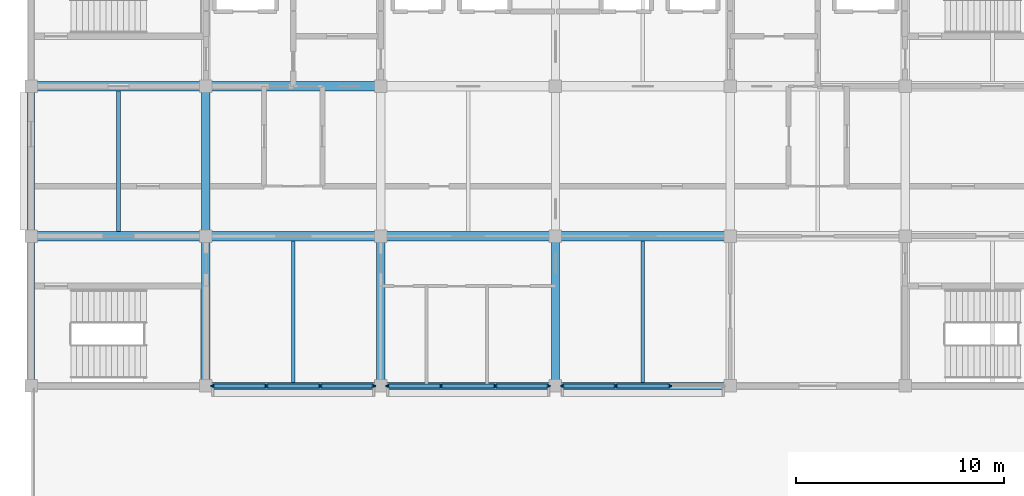
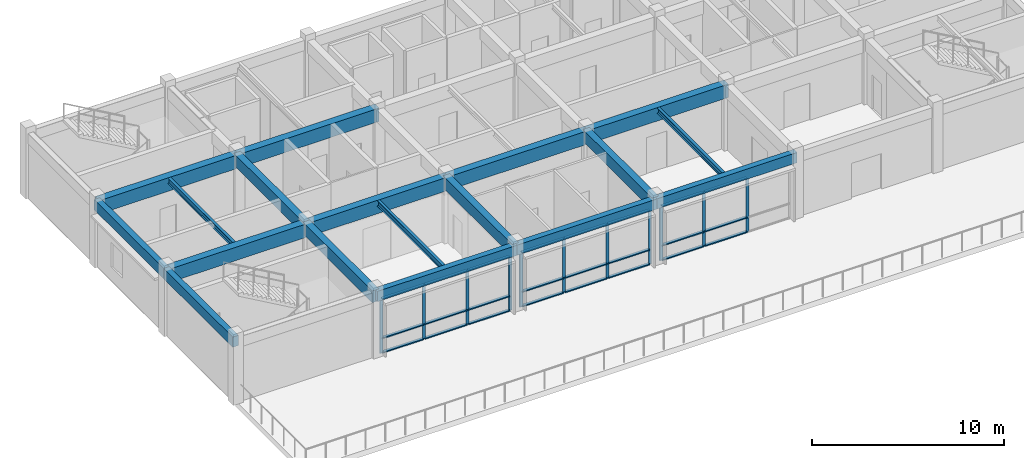
# One storey, part 2 of 11: 35 members, 18 beams, 3 elements without a shape of their own.
"""IFC4 building model written with IfcOpenShell, lengths in metres."""

from ifc_helpers import new_model, si_unit, direction, frame, origin, origin_2d, place, context, subcontext, project, spatial, rectangle, i_section, extrude, material, layer, layer_set, material_profile, profile_set, type_object, element, aggregate, save


model = new_model("IFC4")

# Units and contexts
model_context = context("Model", 3, precision=1e-05, world=origin(), true_north=direction((0.0, 1.0)))
body_context = subcontext(model_context, "Body", "Model", "MODEL_VIEW")
ifc_project = project(units=[si_unit("LENGTHUNIT", "METRE"), si_unit("AREAUNIT", "SQUARE_METRE"), si_unit("VOLUMEUNIT", "CUBIC_METRE"), si_unit("PLANEANGLEUNIT", "RADIAN"), si_unit("MASSUNIT", "GRAM", prefix="KILO")], contexts=[model_context])

# Site, building, storey
site_placement = place(None, origin())
site = spatial("IfcSite", under=ifc_project, at=site_placement, CompositionType="ELEMENT")
building_placement = place(site_placement, origin())
building = spatial("IfcBuilding", under=site, at=building_placement, Name="Chengyuan Square Courthouse", CompositionType="ELEMENT")
storey_placement = place(building_placement, frame((0.0, 0.0, 68.699951171875)))
storey = spatial("IfcBuildingStorey", under=building, at=storey_placement, Name="L16", CompositionType="ELEMENT", Elevation=68.699951171875)

# Beams
ifc_material_1 = material(Name="Concrete C40", Category="concrete")
ifc_material_profile_1 = material_profile(ifc_material_1, rectangle(XDim=0.449951171875, YDim=0.85009765625, at=origin_2d()), Name="RC-BM-450x850")
ifc_profile_set_1 = profile_set([ifc_material_profile_1], Name="Concrete C40")
beam_type_1 = type_object("IfcBeamType", Name="BM-01", PredefinedType="USERDEFINED", material=ifc_profile_set_1)
beam_1_placement = place(storey_placement, frame((58.800048828125, 93.60009765625, 3.695068359375), z_axis=(1.0, 0.0, 0.0), x_axis=(0.0, 1.0, 0.0)))
element("IfcBeam", 1, at=beam_1_placement, inside=storey, type_object=beam_type_1, Name="Girder BM-L16-4564", ObjectType="GIRDER", PredefinedType="USERDEFINED", context=body_context, shape_type="SweptSolid", body=[
    extrude(rectangle(XDim=0.449951171875, YDim=0.85009765625, at=origin_2d()), origin(), (0.0, 0.0, 1.0), 8.39990234375),
])
beam_2_placement = place(storey_placement, frame((67.199951171875, 93.60009765625, 3.695068359375), z_axis=(1.0, 0.0, 0.0), x_axis=(0.0, 1.0, 0.0)))
element("IfcBeam", 2, at=beam_2_placement, inside=storey, type_object=beam_type_1, Name="Girder BM-L16-4565", ObjectType="GIRDER", PredefinedType="USERDEFINED", context=body_context, shape_type="SweptSolid", body=[
    extrude(rectangle(XDim=0.449951171875, YDim=0.85009765625, at=origin_2d()), origin(), (0.0, 0.0, 1.0), 8.400146484375),
])
for number, where, z_axis, x_axis, name in (
    (3, (75.60009765625, 93.60009765625, 3.695068359375), (1.0, 0.0, 0.0), (0.0, 1.0, 0.0), "Girder BM-L16-4566"),
    (4, (84.0, 93.60009765625, 3.695068359375), (1.0, 0.0, 0.0), (0.0, 1.0, 0.0), "Girder BM-L16-4567"),
    (5, (58.800048828125, 100.800048828125, 3.695068359375), (1.0, 0.0, 0.0), (0.0, 1.0, 0.0), "Girder BM-L16-4570"),
):
    element("IfcBeam", number, at=place(storey_placement, frame(where, z_axis=z_axis, x_axis=x_axis)), inside=storey, type_object=beam_type_1, Name=name, ObjectType="GIRDER", PredefinedType="USERDEFINED", context=body_context, shape_type="SweptSolid", body=[
        extrude(rectangle(XDim=0.449951171875, YDim=0.85009765625, at=origin_2d()), origin(), (0.0, 0.0, 1.0), 8.39990234375),
    ])
beam_3_placement = place(storey_placement, frame((67.199951171875, 100.800048828125, 3.695068359375), z_axis=(1.0, 0.0, 0.0), x_axis=(0.0, 1.0, 0.0)))
element("IfcBeam", 6, at=beam_3_placement, inside=storey, type_object=beam_type_1, Name="Girder BM-L16-4571", ObjectType="GIRDER", PredefinedType="USERDEFINED", context=body_context, shape_type="SweptSolid", body=[
    extrude(rectangle(XDim=0.449951171875, YDim=0.85009765625, at=origin_2d()), origin(), (0.0, 0.0, 1.0), 8.400146484375),
])
ifc_material_profile_2 = material_profile(ifc_material_1, rectangle(XDim=0.39990234375, YDim=0.75, at=origin_2d()), Name="RC-BM-400x750")
ifc_profile_set_2 = profile_set([ifc_material_profile_2], Name="Concrete C40")
beam_type_2 = type_object("IfcBeamType", Name="BM-02", PredefinedType="USERDEFINED", material=ifc_profile_set_2)
beam_4_placement = place(storey_placement, frame((67.199951171875, 86.39990234375, 3.7451171875), z_axis=(0.0, 1.0, 0.0), x_axis=(-1.0, 0.0, 0.0)))
element("IfcBeam", 7, at=beam_4_placement, inside=storey, type_object=beam_type_2, Name="Girder BM-L16-4585", ObjectType="GIRDER", PredefinedType="USERDEFINED", context=body_context, shape_type="SweptSolid", body=[
    extrude(rectangle(XDim=0.39990234375, YDim=0.75, at=origin_2d()), origin(), (0.0, 0.0, 1.0), 7.2001953125),
])
beam_5_placement = place(storey_placement, frame((67.199951171875, 93.60009765625, 3.7451171875), z_axis=(0.0, 1.0, 0.0), x_axis=(-1.0, 0.0, 0.0)))
element("IfcBeam", 8, at=beam_5_placement, inside=storey, type_object=beam_type_2, Name="Girder BM-L16-4586", ObjectType="GIRDER", PredefinedType="USERDEFINED", context=body_context, shape_type="SweptSolid", body=[
    extrude(rectangle(XDim=0.39990234375, YDim=0.75, at=origin_2d()), origin(), (0.0, 0.0, 1.0), 7.199951171875),
])
for number, where, z_axis, x_axis, name in (
    (9, (75.60009765625, 86.39990234375, 3.7451171875), (0.0, 1.0, 0.0), (-1.0, 0.0, 0.0), "Girder BM-L16-4588"),
    (10, (84.0, 86.39990234375, 3.7451171875), (0.0, 1.0, 0.0), (-1.0, 0.0, 0.0), "Girder BM-L16-4591"),
):
    element("IfcBeam", number, at=place(storey_placement, frame(where, z_axis=z_axis, x_axis=x_axis)), inside=storey, type_object=beam_type_2, Name=name, ObjectType="GIRDER", PredefinedType="USERDEFINED", context=body_context, shape_type="SweptSolid", body=[
        extrude(rectangle(XDim=0.39990234375, YDim=0.75, at=origin_2d()), origin(), (0.0, 0.0, 1.0), 7.2001953125),
    ])
ifc_material_profile_3 = material_profile(ifc_material_1, rectangle(XDim=0.35009765625, YDim=0.64990234375, at=origin_2d()), Name="RC-BM-350x650")
ifc_profile_set_3 = profile_set([ifc_material_profile_3], Name="Concrete C40")
beam_type_3 = type_object("IfcBeamType", Name="BM-03", PredefinedType="SPANDREL", material=ifc_profile_set_3)
beam_6_placement = place(storey_placement, frame((67.199951171875, 86.39990234375, 3.795166015625), z_axis=(1.0, 0.0, 0.0), x_axis=(0.0, 1.0, 0.0)))
element("IfcBeam", 11, at=beam_6_placement, inside=storey, type_object=beam_type_3, Name="Girder BM-L16-4559", PredefinedType="SPANDREL", context=body_context, shape_type="SweptSolid", body=[
    extrude(rectangle(XDim=0.35009765625, YDim=0.64990234375, at=origin_2d()), origin(), (0.0, 0.0, 1.0), 8.400146484375),
])
for number, where, z_axis, x_axis, name in (
    (12, (75.60009765625, 86.39990234375, 3.795166015625), (1.0, 0.0, 0.0), (0.0, 1.0, 0.0), "Girder BM-L16-4560"),
    (13, (84.0, 86.39990234375, 3.795166015625), (1.0, 0.0, 0.0), (0.0, 1.0, 0.0), "Girder BM-L16-4561"),
):
    element("IfcBeam", number, at=place(storey_placement, frame(where, z_axis=z_axis, x_axis=x_axis)), inside=storey, type_object=beam_type_3, Name=name, PredefinedType="SPANDREL", context=body_context, shape_type="SweptSolid", body=[
        extrude(rectangle(XDim=0.35009765625, YDim=0.64990234375, at=origin_2d()), origin(), (0.0, 0.0, 1.0), 8.39990234375),
    ])
beam_7_placement = place(storey_placement, frame((58.800048828125, 86.39990234375, 3.795166015625), z_axis=(0.0, 1.0, 0.0), x_axis=(-1.0, 0.0, 0.0)))
element("IfcBeam", 14, at=beam_7_placement, inside=storey, type_object=beam_type_3, Name="Girder BM-L16-4582", PredefinedType="SPANDREL", context=body_context, shape_type="SweptSolid", body=[
    extrude(rectangle(XDim=0.35009765625, YDim=0.64990234375, at=origin_2d()), origin(), (0.0, 0.0, 1.0), 7.2001953125),
])
beam_8_placement = place(storey_placement, frame((58.800048828125, 93.60009765625, 3.795166015625), z_axis=(0.0, 1.0, 0.0), x_axis=(-1.0, 0.0, 0.0)))
element("IfcBeam", 15, at=beam_8_placement, inside=storey, type_object=beam_type_3, Name="Girder BM-L16-4583", PredefinedType="SPANDREL", context=body_context, shape_type="SweptSolid", body=[
    extrude(rectangle(XDim=0.35009765625, YDim=0.64990234375, at=origin_2d()), origin(), (0.0, 0.0, 1.0), 7.199951171875),
])
ifc_material_2 = material(Name="Steel Q355B", Category="steel")
ifc_material_profile_4 = material_profile(ifc_material_2, i_section(OverallWidth=0.175048828125, OverallDepth=0.35009765625, WebThickness=0.007080078125, FlangeThickness=0.010986328125, at=origin_2d()), Name="HN 350x175x7x11")
ifc_profile_set_4 = profile_set([ifc_material_profile_4], Name="Steel Q355B")
beam_type_4 = type_object("IfcBeamType", Name="BM-08", PredefinedType="BEAM", material=ifc_profile_set_4)
beam_9_placement = place(storey_placement, frame((63.0, 93.824951171875, 3.945068359375), z_axis=(0.0, 1.0, 0.0), x_axis=(-1.0, 0.0, 0.0)))
element("IfcBeam", 16, at=beam_9_placement, inside=storey, type_object=beam_type_4, Name="Secondary Floor Beam SBM-L16-4603", PredefinedType="BEAM", context=body_context, shape_type="SweptSolid", body=[
    extrude(i_section(OverallWidth=0.175048828125, OverallDepth=0.35009765625, WebThickness=0.007080078125, FlangeThickness=0.010986328125, at=origin_2d()), origin(), (0.0, 0.0, 1.0), 6.75),
])
for number, where, z_axis, x_axis, name in (
    (17, (71.39990234375, 86.574951171875, 3.945068359375), (0.0, 1.0, 0.0), (-1.0, 0.0, 0.0), "Secondary Floor Beam SBM-L16-4604"),
    (18, (88.199951171875, 86.574951171875, 3.945068359375), (0.0, 1.0, 0.0), (-1.0, 0.0, 0.0), "Secondary Floor Beam SBM-L16-4607"),
):
    element("IfcBeam", number, at=place(storey_placement, frame(where, z_axis=z_axis, x_axis=x_axis)), inside=storey, type_object=beam_type_4, Name=name, PredefinedType="BEAM", context=body_context, shape_type="SweptSolid", body=[
        extrude(i_section(OverallWidth=0.175048828125, OverallDepth=0.35009765625, WebThickness=0.007080078125, FlangeThickness=0.010986328125, at=origin_2d()), origin(), (0.0, 0.0, 1.0), 6.800048828125),
    ])

# Curtain wall, members
ifc_material_3 = material(Name="Unitised Aluminium and Triple Low-E Glass", Category="aluminium")
ifc_layer = layer(ifc_material_3, 0.179931640625)
ifc_layer_set = layer_set([ifc_layer], Name="Unitised Aluminium and Triple Low-E Glass")
curtain_wall_type = type_object("IfcCurtainWallType", Name="CW-22", PredefinedType="USERDEFINED", material=ifc_layer_set)
curtain_wall_1_placement = place(storey_placement, origin())
curtain_wall_1 = element("IfcCurtainWall", 19, at=curtain_wall_1_placement, inside=storey, type_object=curtain_wall_type, Name="Unitised Curtain Wall CW-L16-282", ObjectType="UNITISED CURTAIN WALL", PredefinedType="USERDEFINED")
ifc_material_4 = material(Name="Aluminium 6063-T6 Frame", Category="aluminium")
ifc_material_profile_5 = material_profile(ifc_material_4, rectangle(XDim=0.06494140625, YDim=0.179931640625, at=origin_2d()), Name="CW-MUL-65x180")
ifc_profile_set_5 = profile_set([ifc_material_profile_5], Name="Aluminium 6063-T6 Frame")
member_type_1 = type_object("IfcMemberType", Name="CWM-02", PredefinedType="MULLION", material=ifc_profile_set_5)
member_1_placement = place(storey_placement, frame((67.532470703125, 86.39990234375, 0.0), z_axis=(0.0, 0.0, 1.0), x_axis=(0.0, 1.0, 0.0)))
member_1 = element("IfcMember", 20, at=member_1_placement, type_object=member_type_1, Name="CW-22 mullion 1", PredefinedType="MULLION", context=body_context, shape_type="SweptSolid", body=[
    extrude(rectangle(XDim=0.06494140625, YDim=0.179931640625, at=origin_2d()), origin(), (0.0, 0.0, 1.0), 3.469970703125),
])
member_2_placement = place(storey_placement, frame((70.10009765625, 86.39990234375, 0.0), z_axis=(0.0, 0.0, 1.0), x_axis=(0.0, 1.0, 0.0)))
member_2 = element("IfcMember", 21, at=member_2_placement, type_object=member_type_1, Name="CW-22 mullion 2", PredefinedType="MULLION", context=body_context, shape_type="SweptSolid", body=[
    extrude(rectangle(XDim=0.06494140625, YDim=0.179931640625, at=origin_2d()), origin(), (0.0, 0.0, 1.0), 3.469970703125),
])
member_3_placement = place(storey_placement, frame((72.699951171875, 86.39990234375, 0.0), z_axis=(0.0, 0.0, 1.0), x_axis=(0.0, 1.0, 0.0)))
member_3 = element("IfcMember", 22, at=member_3_placement, type_object=member_type_1, Name="CW-22 mullion 3", PredefinedType="MULLION", context=body_context, shape_type="SweptSolid", body=[
    extrude(rectangle(XDim=0.06494140625, YDim=0.179931640625, at=origin_2d()), origin(), (0.0, 0.0, 1.0), 3.469970703125),
])
member_4_placement = place(storey_placement, frame((75.267578125, 86.39990234375, 0.0), z_axis=(0.0, 0.0, 1.0), x_axis=(0.0, 1.0, 0.0)))
member_4 = element("IfcMember", 23, at=member_4_placement, type_object=member_type_1, Name="CW-22 mullion 4", PredefinedType="MULLION", context=body_context, shape_type="SweptSolid", body=[
    extrude(rectangle(XDim=0.06494140625, YDim=0.179931640625, at=origin_2d()), origin(), (0.0, 0.0, 1.0), 3.469970703125),
])

curtain_wall_2_placement = place(storey_placement, origin())
curtain_wall_2 = element("IfcCurtainWall", 24, at=curtain_wall_2_placement, inside=storey, type_object=curtain_wall_type, Name="Unitised Curtain Wall CW-L16-283", ObjectType="UNITISED CURTAIN WALL", PredefinedType="USERDEFINED")
member_5_placement = place(storey_placement, frame((75.9326171875, 86.39990234375, 0.0), z_axis=(0.0, 0.0, 1.0), x_axis=(0.0, 1.0, 0.0)))
member_5 = element("IfcMember", 25, at=member_5_placement, type_object=member_type_1, Name="CW-22 mullion 1", PredefinedType="MULLION", context=body_context, shape_type="SweptSolid", body=[
    extrude(rectangle(XDim=0.06494140625, YDim=0.179931640625, at=origin_2d()), origin(), (0.0, 0.0, 1.0), 3.469970703125),
])
member_6_placement = place(storey_placement, frame((78.5, 86.39990234375, 0.0), z_axis=(0.0, 0.0, 1.0), x_axis=(0.0, 1.0, 0.0)))
member_6 = element("IfcMember", 26, at=member_6_placement, type_object=member_type_1, Name="CW-22 mullion 2", PredefinedType="MULLION", context=body_context, shape_type="SweptSolid", body=[
    extrude(rectangle(XDim=0.06494140625, YDim=0.179931640625, at=origin_2d()), origin(), (0.0, 0.0, 1.0), 3.469970703125),
])
member_7_placement = place(storey_placement, frame((81.10009765625, 86.39990234375, 0.0), z_axis=(0.0, 0.0, 1.0), x_axis=(0.0, 1.0, 0.0)))
member_7 = element("IfcMember", 27, at=member_7_placement, type_object=member_type_1, Name="CW-22 mullion 3", PredefinedType="MULLION", context=body_context, shape_type="SweptSolid", body=[
    extrude(rectangle(XDim=0.06494140625, YDim=0.179931640625, at=origin_2d()), origin(), (0.0, 0.0, 1.0), 3.469970703125),
])
member_8_placement = place(storey_placement, frame((83.66748046875, 86.39990234375, 0.0), z_axis=(0.0, 0.0, 1.0), x_axis=(0.0, 1.0, 0.0)))
member_8 = element("IfcMember", 28, at=member_8_placement, type_object=member_type_1, Name="CW-22 mullion 4", PredefinedType="MULLION", context=body_context, shape_type="SweptSolid", body=[
    extrude(rectangle(XDim=0.06494140625, YDim=0.179931640625, at=origin_2d()), origin(), (0.0, 0.0, 1.0), 3.469970703125),
])

curtain_wall_3_placement = place(storey_placement, origin())
curtain_wall_3 = element("IfcCurtainWall", 29, at=curtain_wall_3_placement, inside=storey, type_object=curtain_wall_type, Name="Unitised Curtain Wall CW-L16-284", ObjectType="UNITISED CURTAIN WALL", PredefinedType="USERDEFINED")
member_9_placement = place(storey_placement, frame((84.33251953125, 86.39990234375, 0.0), z_axis=(0.0, 0.0, 1.0), x_axis=(0.0, 1.0, 0.0)))
member_9 = element("IfcMember", 30, at=member_9_placement, type_object=member_type_1, Name="CW-22 mullion 1", PredefinedType="MULLION", context=body_context, shape_type="SweptSolid", body=[
    extrude(rectangle(XDim=0.06494140625, YDim=0.179931640625, at=origin_2d()), origin(), (0.0, 0.0, 1.0), 3.469970703125),
])
member_10_placement = place(storey_placement, frame((86.89990234375, 86.39990234375, 0.0), z_axis=(0.0, 0.0, 1.0), x_axis=(0.0, 1.0, 0.0)))
member_10 = element("IfcMember", 31, at=member_10_placement, type_object=member_type_1, Name="CW-22 mullion 2", PredefinedType="MULLION", context=body_context, shape_type="SweptSolid", body=[
    extrude(rectangle(XDim=0.06494140625, YDim=0.179931640625, at=origin_2d()), origin(), (0.0, 0.0, 1.0), 3.469970703125),
])
member_11_placement = place(storey_placement, frame((89.5, 86.39990234375, 0.0), z_axis=(0.0, 0.0, 1.0), x_axis=(0.0, 1.0, 0.0)))
member_11 = element("IfcMember", 32, at=member_11_placement, type_object=member_type_1, Name="CW-22 mullion 3", PredefinedType="MULLION", context=body_context, shape_type="SweptSolid", body=[
    extrude(rectangle(XDim=0.06494140625, YDim=0.179931640625, at=origin_2d()), origin(), (0.0, 0.0, 1.0), 3.469970703125),
])

# Member
ifc_material_profile_6 = material_profile(ifc_material_4, rectangle(XDim=0.179931640625, YDim=0.06494140625, at=origin_2d()), Name="CW-TRN-65x140")
ifc_profile_set_6 = profile_set([ifc_material_profile_6], Name="Aluminium 6063-T6 Frame")
member_type_2 = type_object("IfcMemberType", Name="CWT-02", PredefinedType="USERDEFINED", material=ifc_profile_set_6)
member_12_placement = place(storey_placement, frame((67.56494140625, 86.39990234375, 0.032470703125), z_axis=(1.0, 0.0, 0.0), x_axis=(0.0, 1.0, 0.0)))
member_12 = element("IfcMember", 33, at=member_12_placement, type_object=member_type_2, Name="CW-22 transom 1.1", ObjectType="TRANSOM", PredefinedType="USERDEFINED", context=body_context, shape_type="SweptSolid", body=[
    extrude(rectangle(XDim=0.179931640625, YDim=0.06494140625, at=origin_2d()), origin(), (0.0, 0.0, 1.0), 2.50244140625),
])

member_13_placement = place(storey_placement, frame((67.56494140625, 86.39990234375, 0.949951171875), z_axis=(1.0, 0.0, 0.0), x_axis=(0.0, 1.0, 0.0)))
member_13 = element("IfcMember", 34, at=member_13_placement, type_object=member_type_2, Name="CW-22 transom 1.2", ObjectType="TRANSOM", PredefinedType="USERDEFINED", context=body_context, shape_type="SweptSolid", body=[
    extrude(rectangle(XDim=0.179931640625, YDim=0.06494140625, at=origin_2d()), origin(), (0.0, 0.0, 1.0), 2.50244140625),
])

member_14_placement = place(storey_placement, frame((67.56494140625, 86.39990234375, 3.4375), z_axis=(1.0, 0.0, 0.0), x_axis=(0.0, 1.0, 0.0)))
member_14 = element("IfcMember", 35, at=member_14_placement, type_object=member_type_2, Name="CW-22 transom 1.3", ObjectType="TRANSOM", PredefinedType="USERDEFINED", context=body_context, shape_type="SweptSolid", body=[
    extrude(rectangle(XDim=0.179931640625, YDim=0.06494140625, at=origin_2d()), origin(), (0.0, 0.0, 1.0), 2.50244140625),
])

member_15_placement = place(storey_placement, frame((70.132568359375, 86.39990234375, 0.032470703125), z_axis=(1.0, 0.0, 0.0), x_axis=(0.0, 1.0, 0.0)))
member_15 = element("IfcMember", 36, at=member_15_placement, type_object=member_type_2, Name="CW-22 transom 2.1", ObjectType="TRANSOM", PredefinedType="USERDEFINED", context=body_context, shape_type="SweptSolid", body=[
    extrude(rectangle(XDim=0.179931640625, YDim=0.06494140625, at=origin_2d()), origin(), (0.0, 0.0, 1.0), 2.534912109375),
])

member_16_placement = place(storey_placement, frame((70.132568359375, 86.39990234375, 0.949951171875), z_axis=(1.0, 0.0, 0.0), x_axis=(0.0, 1.0, 0.0)))
member_16 = element("IfcMember", 37, at=member_16_placement, type_object=member_type_2, Name="CW-22 transom 2.2", ObjectType="TRANSOM", PredefinedType="USERDEFINED", context=body_context, shape_type="SweptSolid", body=[
    extrude(rectangle(XDim=0.179931640625, YDim=0.06494140625, at=origin_2d()), origin(), (0.0, 0.0, 1.0), 2.534912109375),
])

member_17_placement = place(storey_placement, frame((70.132568359375, 86.39990234375, 3.4375), z_axis=(1.0, 0.0, 0.0), x_axis=(0.0, 1.0, 0.0)))
member_17 = element("IfcMember", 38, at=member_17_placement, type_object=member_type_2, Name="CW-22 transom 2.3", ObjectType="TRANSOM", PredefinedType="USERDEFINED", context=body_context, shape_type="SweptSolid", body=[
    extrude(rectangle(XDim=0.179931640625, YDim=0.06494140625, at=origin_2d()), origin(), (0.0, 0.0, 1.0), 2.534912109375),
])

member_18_placement = place(storey_placement, frame((72.732421875, 86.39990234375, 0.032470703125), z_axis=(1.0, 0.0, 0.0), x_axis=(0.0, 1.0, 0.0)))
member_18 = element("IfcMember", 39, at=member_18_placement, type_object=member_type_2, Name="CW-22 transom 3.1", ObjectType="TRANSOM", PredefinedType="USERDEFINED", context=body_context, shape_type="SweptSolid", body=[
    extrude(rectangle(XDim=0.179931640625, YDim=0.06494140625, at=origin_2d()), origin(), (0.0, 0.0, 1.0), 2.502685546875),
])

member_19_placement = place(storey_placement, frame((72.732421875, 86.39990234375, 0.949951171875), z_axis=(1.0, 0.0, 0.0), x_axis=(0.0, 1.0, 0.0)))
member_19 = element("IfcMember", 40, at=member_19_placement, type_object=member_type_2, Name="CW-22 transom 3.2", ObjectType="TRANSOM", PredefinedType="USERDEFINED", context=body_context, shape_type="SweptSolid", body=[
    extrude(rectangle(XDim=0.179931640625, YDim=0.06494140625, at=origin_2d()), origin(), (0.0, 0.0, 1.0), 2.502685546875),
])

member_20_placement = place(storey_placement, frame((72.732421875, 86.39990234375, 3.4375), z_axis=(1.0, 0.0, 0.0), x_axis=(0.0, 1.0, 0.0)))
member_20 = element("IfcMember", 41, at=member_20_placement, type_object=member_type_2, Name="CW-22 transom 3.3", ObjectType="TRANSOM", PredefinedType="USERDEFINED", context=body_context, shape_type="SweptSolid", body=[
    extrude(rectangle(XDim=0.179931640625, YDim=0.06494140625, at=origin_2d()), origin(), (0.0, 0.0, 1.0), 2.502685546875),
])

aggregate(curtain_wall_1, [member_1, member_2, member_3, member_4, member_12, member_13, member_14, member_15, member_16, member_17, member_18, member_19, member_20])

member_21_placement = place(storey_placement, frame((75.965087890625, 86.39990234375, 0.032470703125), z_axis=(1.0, 0.0, 0.0), x_axis=(0.0, 1.0, 0.0)))
member_21 = element("IfcMember", 42, at=member_21_placement, type_object=member_type_2, Name="CW-22 transom 1.1", ObjectType="TRANSOM", PredefinedType="USERDEFINED", context=body_context, shape_type="SweptSolid", body=[
    extrude(rectangle(XDim=0.179931640625, YDim=0.06494140625, at=origin_2d()), origin(), (0.0, 0.0, 1.0), 2.50244140625),
])

member_22_placement = place(storey_placement, frame((75.965087890625, 86.39990234375, 0.949951171875), z_axis=(1.0, 0.0, 0.0), x_axis=(0.0, 1.0, 0.0)))
member_22 = element("IfcMember", 43, at=member_22_placement, type_object=member_type_2, Name="CW-22 transom 1.2", ObjectType="TRANSOM", PredefinedType="USERDEFINED", context=body_context, shape_type="SweptSolid", body=[
    extrude(rectangle(XDim=0.179931640625, YDim=0.06494140625, at=origin_2d()), origin(), (0.0, 0.0, 1.0), 2.50244140625),
])

member_23_placement = place(storey_placement, frame((75.965087890625, 86.39990234375, 3.4375), z_axis=(1.0, 0.0, 0.0), x_axis=(0.0, 1.0, 0.0)))
member_23 = element("IfcMember", 44, at=member_23_placement, type_object=member_type_2, Name="CW-22 transom 1.3", ObjectType="TRANSOM", PredefinedType="USERDEFINED", context=body_context, shape_type="SweptSolid", body=[
    extrude(rectangle(XDim=0.179931640625, YDim=0.06494140625, at=origin_2d()), origin(), (0.0, 0.0, 1.0), 2.50244140625),
])

member_24_placement = place(storey_placement, frame((78.532470703125, 86.39990234375, 0.032470703125), z_axis=(1.0, 0.0, 0.0), x_axis=(0.0, 1.0, 0.0)))
member_24 = element("IfcMember", 45, at=member_24_placement, type_object=member_type_2, Name="CW-22 transom 2.1", ObjectType="TRANSOM", PredefinedType="USERDEFINED", context=body_context, shape_type="SweptSolid", body=[
    extrude(rectangle(XDim=0.179931640625, YDim=0.06494140625, at=origin_2d()), origin(), (0.0, 0.0, 1.0), 2.534912109375),
])

member_25_placement = place(storey_placement, frame((78.532470703125, 86.39990234375, 0.949951171875), z_axis=(1.0, 0.0, 0.0), x_axis=(0.0, 1.0, 0.0)))
member_25 = element("IfcMember", 46, at=member_25_placement, type_object=member_type_2, Name="CW-22 transom 2.2", ObjectType="TRANSOM", PredefinedType="USERDEFINED", context=body_context, shape_type="SweptSolid", body=[
    extrude(rectangle(XDim=0.179931640625, YDim=0.06494140625, at=origin_2d()), origin(), (0.0, 0.0, 1.0), 2.534912109375),
])

member_26_placement = place(storey_placement, frame((78.532470703125, 86.39990234375, 3.4375), z_axis=(1.0, 0.0, 0.0), x_axis=(0.0, 1.0, 0.0)))
member_26 = element("IfcMember", 47, at=member_26_placement, type_object=member_type_2, Name="CW-22 transom 2.3", ObjectType="TRANSOM", PredefinedType="USERDEFINED", context=body_context, shape_type="SweptSolid", body=[
    extrude(rectangle(XDim=0.179931640625, YDim=0.06494140625, at=origin_2d()), origin(), (0.0, 0.0, 1.0), 2.534912109375),
])

member_27_placement = place(storey_placement, frame((81.132568359375, 86.39990234375, 0.032470703125), z_axis=(1.0, 0.0, 0.0), x_axis=(0.0, 1.0, 0.0)))
member_27 = element("IfcMember", 48, at=member_27_placement, type_object=member_type_2, Name="CW-22 transom 3.1", ObjectType="TRANSOM", PredefinedType="USERDEFINED", context=body_context, shape_type="SweptSolid", body=[
    extrude(rectangle(XDim=0.179931640625, YDim=0.06494140625, at=origin_2d()), origin(), (0.0, 0.0, 1.0), 2.50244140625),
])

member_28_placement = place(storey_placement, frame((81.132568359375, 86.39990234375, 0.949951171875), z_axis=(1.0, 0.0, 0.0), x_axis=(0.0, 1.0, 0.0)))
member_28 = element("IfcMember", 49, at=member_28_placement, type_object=member_type_2, Name="CW-22 transom 3.2", ObjectType="TRANSOM", PredefinedType="USERDEFINED", context=body_context, shape_type="SweptSolid", body=[
    extrude(rectangle(XDim=0.179931640625, YDim=0.06494140625, at=origin_2d()), origin(), (0.0, 0.0, 1.0), 2.50244140625),
])

member_29_placement = place(storey_placement, frame((81.132568359375, 86.39990234375, 3.4375), z_axis=(1.0, 0.0, 0.0), x_axis=(0.0, 1.0, 0.0)))
member_29 = element("IfcMember", 50, at=member_29_placement, type_object=member_type_2, Name="CW-22 transom 3.3", ObjectType="TRANSOM", PredefinedType="USERDEFINED", context=body_context, shape_type="SweptSolid", body=[
    extrude(rectangle(XDim=0.179931640625, YDim=0.06494140625, at=origin_2d()), origin(), (0.0, 0.0, 1.0), 2.50244140625),
])

aggregate(curtain_wall_2, [member_5, member_6, member_7, member_8, member_21, member_22, member_23, member_24, member_25, member_26, member_27, member_28, member_29])

member_30_placement = place(storey_placement, frame((84.364990234375, 86.39990234375, 0.032470703125), z_axis=(1.0, 0.0, 0.0), x_axis=(0.0, 1.0, 0.0)))
member_30 = element("IfcMember", 51, at=member_30_placement, type_object=member_type_2, Name="CW-22 transom 1.1", ObjectType="TRANSOM", PredefinedType="USERDEFINED", context=body_context, shape_type="SweptSolid", body=[
    extrude(rectangle(XDim=0.179931640625, YDim=0.06494140625, at=origin_2d()), origin(), (0.0, 0.0, 1.0), 2.50244140625),
])

member_31_placement = place(storey_placement, frame((84.364990234375, 86.39990234375, 0.949951171875), z_axis=(1.0, 0.0, 0.0), x_axis=(0.0, 1.0, 0.0)))
member_31 = element("IfcMember", 52, at=member_31_placement, type_object=member_type_2, Name="CW-22 transom 1.2", ObjectType="TRANSOM", PredefinedType="USERDEFINED", context=body_context, shape_type="SweptSolid", body=[
    extrude(rectangle(XDim=0.179931640625, YDim=0.06494140625, at=origin_2d()), origin(), (0.0, 0.0, 1.0), 2.50244140625),
])

member_32_placement = place(storey_placement, frame((84.364990234375, 86.39990234375, 3.4375), z_axis=(1.0, 0.0, 0.0), x_axis=(0.0, 1.0, 0.0)))
member_32 = element("IfcMember", 53, at=member_32_placement, type_object=member_type_2, Name="CW-22 transom 1.3", ObjectType="TRANSOM", PredefinedType="USERDEFINED", context=body_context, shape_type="SweptSolid", body=[
    extrude(rectangle(XDim=0.179931640625, YDim=0.06494140625, at=origin_2d()), origin(), (0.0, 0.0, 1.0), 2.50244140625),
])

member_33_placement = place(storey_placement, frame((86.9326171875, 86.39990234375, 0.032470703125), z_axis=(1.0, 0.0, 0.0), x_axis=(0.0, 1.0, 0.0)))
member_33 = element("IfcMember", 54, at=member_33_placement, type_object=member_type_2, Name="CW-22 transom 2.1", ObjectType="TRANSOM", PredefinedType="USERDEFINED", context=body_context, shape_type="SweptSolid", body=[
    extrude(rectangle(XDim=0.179931640625, YDim=0.06494140625, at=origin_2d()), origin(), (0.0, 0.0, 1.0), 2.534912109375),
])

member_34_placement = place(storey_placement, frame((86.9326171875, 86.39990234375, 0.949951171875), z_axis=(1.0, 0.0, 0.0), x_axis=(0.0, 1.0, 0.0)))
member_34 = element("IfcMember", 55, at=member_34_placement, type_object=member_type_2, Name="CW-22 transom 2.2", ObjectType="TRANSOM", PredefinedType="USERDEFINED", context=body_context, shape_type="SweptSolid", body=[
    extrude(rectangle(XDim=0.179931640625, YDim=0.06494140625, at=origin_2d()), origin(), (0.0, 0.0, 1.0), 2.534912109375),
])

member_35_placement = place(storey_placement, frame((86.9326171875, 86.39990234375, 3.4375), z_axis=(1.0, 0.0, 0.0), x_axis=(0.0, 1.0, 0.0)))
member_35 = element("IfcMember", 56, at=member_35_placement, type_object=member_type_2, Name="CW-22 transom 2.3", ObjectType="TRANSOM", PredefinedType="USERDEFINED", context=body_context, shape_type="SweptSolid", body=[
    extrude(rectangle(XDim=0.179931640625, YDim=0.06494140625, at=origin_2d()), origin(), (0.0, 0.0, 1.0), 2.534912109375),
])

aggregate(curtain_wall_3, [member_9, member_10, member_11, member_30, member_31, member_32, member_33, member_34, member_35])

save(model, "model.ifc")
